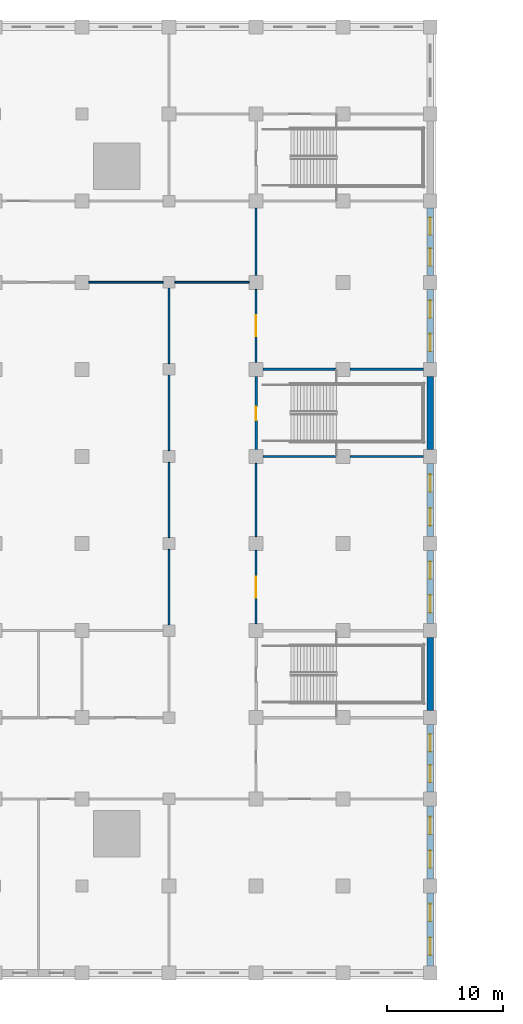
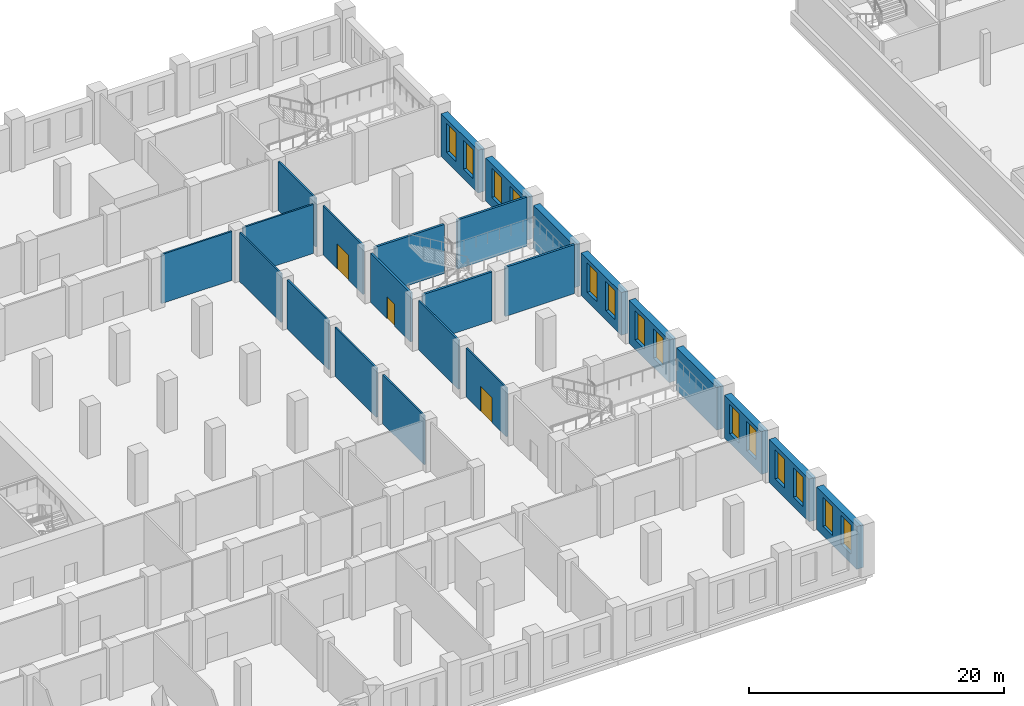
# One storey, part 8 of 32: 24 walls, 14 windows, 3 doors, 17 openings.
"""IFC4 building model written with IfcOpenShell, lengths in metres."""

import ifcopenshell
import ifcopenshell.guid

model = None  # the IFC model being written
_history = None  # IfcOwnerHistory: only IFC2X3 demands one
_inside = {}  # id of a spatial element -> (the spatial element, [elements in it])
_under = {}  # id of a project, library or spatial element -> (it, [spatial elements below it])
_declared = {}  # id of a project -> (the project, [libraries it declares])
_typed = {}  # id of a type object -> (the type object, [elements of that type])
_made_of = {}  # id of a material, layer set ... -> (it, [elements and type objects made of it])


def new_model(schema):
    """Start an empty IFC model of exactly this schema.

    Asked for "IFC4X3", IfcOpenShell would pick the latest addendum, in which some entities
    have other attributes; the version numbers below select the first issue.
    IFC2X3 requires an IfcOwnerHistory on every rooted entity: one is made here for all.
    """
    global model, _history
    if schema == "IFC4X3":
        model = ifcopenshell.file(schema_version=(4, 3, 0, 0))
    else:
        model = ifcopenshell.file(schema=schema)
    _inside.clear()
    _under.clear()
    _declared.clear()
    _typed.clear()
    _made_of.clear()
    _history = None
    if model.schema == "IFC2X3":
        org = make("IfcOrganization", Name="unknown")
        user = make(
            "IfcPersonAndOrganization",
            ThePerson=make("IfcPerson", FamilyName="unknown"),
            TheOrganization=org,
        )
        app = make(
            "IfcApplication",
            ApplicationDeveloper=org,
            Version="unknown",
            ApplicationFullName="unknown",
            ApplicationIdentifier="unknown",
        )
        _history = make(
            "IfcOwnerHistory",
            OwningUser=user,
            OwningApplication=app,
            ChangeAction="ADDED",
            CreationDate=0,
        )
    return model


def make(cls, **values):
    """One entity of the class cls with the attributes given. An attribute that is None is left unset."""
    return model.create_entity(
        cls, **{name: value for name, value in values.items() if value is not None}
    )


def rooted(cls, **values):
    """An entity with a GlobalId (a new one), such as an element, a storey or a relation."""
    return make(cls, GlobalId=ifcopenshell.guid.new(), OwnerHistory=_history, **values)


def si_unit(unit_type, name, prefix=None):
    """IfcSIUnit, for example si_unit("LENGTHUNIT", "METRE", prefix="MILLI")."""
    return make("IfcSIUnit", UnitType=unit_type, Prefix=prefix, Name=name)


def assignment(units):
    """IfcUnitAssignment: the units of a project."""
    return None if units is None else make("IfcUnitAssignment", Units=units)


def point(xyz):
    """IfcCartesianPoint."""
    return None if xyz is None else make("IfcCartesianPoint", Coordinates=xyz)


def direction(xyz):
    """IfcDirection."""
    return None if xyz is None else make("IfcDirection", DirectionRatios=xyz)


def frame(location, z_axis=None, x_axis=None):
    """IfcAxis2Placement3D, a coordinate frame: its origin and axes. An axis left out is left unset."""
    return make(
        "IfcAxis2Placement3D",
        Location=point(location),
        Axis=direction(z_axis),
        RefDirection=direction(x_axis),
    )


def frame_2d(location, x_axis=None):
    """IfcAxis2Placement2D, a coordinate frame in the plane: its origin and x axis."""
    return make(
        "IfcAxis2Placement2D", Location=point(location), RefDirection=direction(x_axis)
    )


def origin():
    """The frame at (0, 0, 0) with its axes left unset."""
    return frame((0.0, 0.0, 0.0))


def place(relative_to, where):
    """IfcLocalPlacement: puts the frame where relative to a parent placement (None: the world)."""
    return make(
        "IfcLocalPlacement", PlacementRelTo=relative_to, RelativePlacement=where
    )


def context(
    kind, dimensions, precision=None, world=None, true_north=None, identifier=None
):
    """IfcGeometricRepresentationContext, for example the 3D "Model" context."""
    return make(
        "IfcGeometricRepresentationContext",
        ContextIdentifier=identifier,
        ContextType=kind,
        CoordinateSpaceDimension=dimensions,
        Precision=precision,
        WorldCoordinateSystem=world,
        TrueNorth=true_north,
    )


def subcontext(parent, identifier, kind, view, scale=None):
    """IfcGeometricRepresentationSubContext, for example "Body" below "Model"."""
    return make(
        "IfcGeometricRepresentationSubContext",
        ContextIdentifier=identifier,
        ContextType=kind,
        ParentContext=parent,
        TargetScale=scale,
        TargetView=view,
    )


def project(units=None, contexts=None):
    """IfcProject with its units and contexts."""
    return rooted(
        "IfcProject",
        Name="project",
        RepresentationContexts=contexts,
        UnitsInContext=assignment(units),
    )


def spatial(cls, under=None, at=None, **own):
    """A site, building, storey or space (cls), placed at a placement, below another one or the project."""
    s = rooted(cls, ObjectPlacement=at, **own)
    if under is not None:
        _under.setdefault(under.id(), (under, []))[1].append(s)
    return s


def profile(cls, at=None, kind="AREA", **sizes):
    """A parametric profile (cls). Its sizes go by their IFC names, for example OverallWidth=200.0."""
    return make(cls, ProfileType=kind, Position=at, **sizes)


def rectangle(**sizes):
    """IfcRectangleProfileDef."""
    return profile("IfcRectangleProfileDef", **sizes)


def extrude(swept, where, along, depth):
    """IfcExtrudedAreaSolid: the profile swept, set in the frame where, extruded along a direction by depth."""
    return make(
        "IfcExtrudedAreaSolid",
        SweptArea=swept,
        Position=where,
        ExtrudedDirection=direction(along),
        Depth=depth,
    )


def shape(context_of_items, identifier, shape_type, items):
    """IfcShapeRepresentation: the items that make up one representation, for example the "Body"."""
    return make(
        "IfcShapeRepresentation",
        ContextOfItems=context_of_items,
        RepresentationIdentifier=identifier,
        RepresentationType=shape_type,
        Items=items,
    )


def material(Name=None, Category=None):
    """IfcMaterial."""
    return make("IfcMaterial", Name=Name, Category=Category)


def layer(
    of_material, thickness, ventilated=None, Name=None, Category=None, Priority=None
):
    """IfcMaterialLayer: one layer of a wall or slab, of a material (None: an air gap)."""
    return make(
        "IfcMaterialLayer",
        Material=of_material,
        LayerThickness=thickness,
        IsVentilated=ventilated,
        Name=Name,
        Category=Category,
        Priority=Priority,
    )


def layer_set(layers, Name=None):
    """IfcMaterialLayerSet."""
    return make("IfcMaterialLayerSet", MaterialLayers=layers, LayerSetName=Name)


def made_of(thing, what):
    """Note that an element or type object is made of a material, layer set ...; save() writes the relation."""
    if what is not None:
        _made_of.setdefault(what.id(), (what, []))[1].append(thing)
    return thing


def type_object(cls, material=None, **own):
    """A type object (cls), such as IfcWallType, which elements share."""
    return made_of(rooted(cls, **own), material)


def element(
    cls,
    number,
    at=None,
    inside=None,
    cuts=None,
    type_object=None,
    material=None,
    context=None,
    identifier="Body",
    shape_type=None,
    held_by="IfcProductDefinitionShape",
    body=None,
    shapes=None,
    **own,
):
    """One element of the class cls, such as IfcWall. Its Tag is "e" and its number.

    at: its placement. inside: the storey or other place that contains it. cuts: it is an
    opening in that element (IfcRelVoidsElement). A single representation is given by context,
    identifier, shape_type and body (its items); several are given by shapes. held_by: the class
    of the entity that holds the representations. save() writes the other relations.
    """
    e = rooted(cls, Tag="e%d" % number, ObjectPlacement=at, **own)
    if body is not None:
        shapes = [shape(context, identifier, shape_type, body)]
    if shapes is not None:
        e.Representation = make(held_by, Representations=shapes)
    if inside is not None:
        _inside.setdefault(inside.id(), (inside, []))[1].append(e)
    if cuts is not None:
        rooted(
            "IfcRelVoidsElement", RelatingBuildingElement=cuts, RelatedOpeningElement=e
        )
    if type_object is not None:
        _typed.setdefault(type_object.id(), (type_object, []))[1].append(e)
    return made_of(e, material)


def fill(opening, filler):
    """IfcRelFillsElement: the door or window that sits in an opening."""
    return rooted(
        "IfcRelFillsElement",
        RelatingOpeningElement=opening,
        RelatedBuildingElement=filler,
    )


def aggregate(whole, parts):
    """IfcRelAggregates: a whole, such as a stair, and the parts it consists of."""
    return rooted("IfcRelAggregates", RelatingObject=whole, RelatedObjects=parts)


def save(model, path):
    """Write the relations noted so far, then the file.

    IfcRelAggregates (storeys below a building ...), IfcRelContainedInSpatialStructure (elements
    in a storey), IfcRelDefinesByType, IfcRelAssociatesMaterial and IfcRelDeclares: one each for
    every whole, place, type object, material and project.
    """
    for whole, parts in _under.values():
        aggregate(whole, parts)
    for where, things in _inside.values():
        rooted(
            "IfcRelContainedInSpatialStructure",
            RelatedElements=things,
            RelatingStructure=where,
        )
    for kind, things in _typed.values():
        rooted("IfcRelDefinesByType", RelatedObjects=things, RelatingType=kind)
    for what, things in _made_of.values():
        rooted("IfcRelAssociatesMaterial", RelatedObjects=things, RelatingMaterial=what)
    for by, libraries in _declared.values():
        rooted("IfcRelDeclares", RelatingContext=by, RelatedDefinitions=libraries)
    model.write(path)


model = new_model("IFC4")

# Units and contexts
model_context = context("Model", 3, precision=1e-05, world=origin(), true_north=direction((0.0, 1.0)))
body_context = subcontext(model_context, "Body", "Model", "MODEL_VIEW")
ifc_project = project(units=[si_unit("LENGTHUNIT", "METRE"), si_unit("AREAUNIT", "SQUARE_METRE"), si_unit("VOLUMEUNIT", "CUBIC_METRE"), si_unit("PLANEANGLEUNIT", "RADIAN"), si_unit("MASSUNIT", "GRAM", prefix="KILO")], contexts=[model_context])

# Site, building, storey
site_placement = place(None, origin())
site = spatial("IfcSite", under=ifc_project, at=site_placement, CompositionType="ELEMENT")
building_placement = place(site_placement, origin())
building = spatial("IfcBuilding", under=site, at=building_placement, Name="Tamorin Gate", CompositionType="ELEMENT")
storey_placement = place(building_placement, frame((0.0, 0.0, 13.5)))
storey = spatial("IfcBuildingStorey", under=building, at=storey_placement, Name="L02", CompositionType="ELEMENT", Elevation=13.5)

# Walls
ifc_material_1 = material(Name="Concrete masonry C20/25", Category="masonry")
ifc_layer_1 = layer(ifc_material_1, 0.14990234375)
ifc_layer_set_1 = layer_set([ifc_layer_1], Name="Partition 150")
wall_type_1 = type_object("IfcWallType", Name="Partition 150", PredefinedType="PARTITIONING", material=ifc_layer_set_1)
for number, where, z_axis, x_axis, name in (
    (1, (82.60009765625, 90.0, 0.0), (0.0, 0.0, 1.0), (1.0, 0.0, 0.0), "Partition 150 L02"),
    (2, (90.0, 90.0, 0.0), (0.0, 0.0, 1.0), (1.0, 0.0, 0.0), "Partition 150 L02"),
):
    element("IfcWall", number, at=place(storey_placement, frame(where, z_axis=z_axis, x_axis=x_axis)), inside=storey, type_object=wall_type_1, Name=name, PredefinedType="PARTITIONING", context=body_context, shape_type="SweptSolid", body=[
        extrude(rectangle(XDim=6.39990234375, YDim=0.14990234375, at=frame_2d((3.199951171875, 0.0))), origin(), (0.0, 0.0, 1.0), 4.699951171875),
    ])

# Wall, opening, door
wall_1_placement = place(storey_placement, frame((97.0, 60.60009765625, 0.0), z_axis=(0.0, 0.0, 1.0), x_axis=(0.0, 1.0, 0.0)))
wall_1 = element("IfcWall", 3, at=wall_1_placement, inside=storey, type_object=wall_type_1, Name="Partition 150 L02", PredefinedType="PARTITIONING", context=body_context, shape_type="SweptSolid", body=[
    extrude(rectangle(XDim=6.2998046875, YDim=0.14990234375, at=frame_2d((3.14990234375, 0.0))), origin(), (0.0, 0.0, 1.0), 4.699951171875),
])
opening_1_placement = place(wall_1_placement, frame((2.25, 0.0, 0.0)))
opening_1 = element("IfcOpeningElement", 4, at=opening_1_placement, cuts=wall_1, Name="Opening DP3", PredefinedType="OPENING", context=body_context, shape_type="SweptSolid", body=[
    extrude(rectangle(XDim=1.800048828125, YDim=2.39990234375, at=frame_2d((0.89990234375, 1.199951171875))), frame((0.0, 0.0849609375, 0.0), z_axis=(0.0, -1.0, 0.0), x_axis=(1.0, 0.0, 0.0)), (0.0, 0.0, 1.0), 0.169921875),
])
ifc_material_2 = material(Name="Steel and glass", Category="steel")
door_type_1 = type_object("IfcDoorType", Name="Door pair 1800", OperationType="DOUBLE_DOOR_SINGLE_SWING", PredefinedType="DOOR", material=ifc_material_2)
door_1_placement = place(opening_1_placement, origin())
door_1 = element("IfcDoor", 5, at=door_1_placement, inside=storey, type_object=door_type_1, Name="Door pair 1800 L02", OperationType="SINGLE_SWING_LEFT", OverallHeight=2.39990234375, OverallWidth=1.800048828125, PredefinedType="DOOR", context=body_context, shape_type="SweptSolid", body=[
    extrude(rectangle(XDim=1.800048828125, YDim=2.39990234375, at=frame_2d((0.89990234375, 1.199951171875))), frame((0.0, 0.02490234375, 0.0), z_axis=(0.0, -1.0, 0.0), x_axis=(1.0, 0.0, 0.0)), (0.0, 0.0, 1.0), 0.050048828125),
])
fill(opening_1, door_1)

# Wall
wall_2_placement = place(storey_placement, frame((97.0, 68.10009765625, 0.0), z_axis=(0.0, 0.0, 1.0), x_axis=(0.0, 1.0, 0.0)))
element("IfcWall", 6, at=wall_2_placement, inside=storey, type_object=wall_type_1, Name="Partition 150 L02", PredefinedType="PARTITIONING", context=body_context, shape_type="SweptSolid", body=[
    extrude(rectangle(XDim=6.2998046875, YDim=0.14990234375, at=frame_2d((3.14990234375, 0.0))), origin(), (0.0, 0.0, 1.0), 4.699951171875),
])

# Wall, opening, door
wall_3_placement = place(storey_placement, frame((97.0, 83.10009765625, 0.0), z_axis=(0.0, 0.0, 1.0), x_axis=(0.0, 1.0, 0.0)))
wall_3 = element("IfcWall", 7, at=wall_3_placement, inside=storey, type_object=wall_type_1, Name="Partition 150 L02", PredefinedType="PARTITIONING", context=body_context, shape_type="SweptSolid", body=[
    extrude(rectangle(XDim=6.2998046875, YDim=0.14990234375, at=frame_2d((3.14990234375, 0.0))), origin(), (0.0, 0.0, 1.0), 4.699951171875),
])
opening_2_placement = place(wall_3_placement, frame((2.25, 0.0, 0.0)))
opening_2 = element("IfcOpeningElement", 8, at=opening_2_placement, cuts=wall_3, Name="Opening DP3", PredefinedType="OPENING", context=body_context, shape_type="SweptSolid", body=[
    extrude(rectangle(XDim=1.800048828125, YDim=2.39990234375, at=frame_2d((0.89990234375, 1.199951171875))), frame((0.0, 0.0849609375, 0.0), z_axis=(0.0, -1.0, 0.0), x_axis=(1.0, 0.0, 0.0)), (0.0, 0.0, 1.0), 0.169921875),
])
door_2_placement = place(opening_2_placement, origin())
door_2 = element("IfcDoor", 9, at=door_2_placement, inside=storey, type_object=door_type_1, Name="Door pair 1800 L02", OperationType="SINGLE_SWING_LEFT", OverallHeight=2.39990234375, OverallWidth=1.800048828125, PredefinedType="DOOR", context=body_context, shape_type="SweptSolid", body=[
    extrude(rectangle(XDim=1.800048828125, YDim=2.39990234375, at=frame_2d((0.89990234375, 1.199951171875))), frame((0.0, 0.02490234375, 0.0), z_axis=(0.0, -1.0, 0.0), x_axis=(1.0, 0.0, 0.0)), (0.0, 0.0, 1.0), 0.050048828125),
])
fill(opening_2, door_2)

# Walls
wall_4_placement = place(storey_placement, frame((97.0, 90.60009765625, 0.0), z_axis=(0.0, 0.0, 1.0), x_axis=(0.0, 1.0, 0.0)))
element("IfcWall", 10, at=wall_4_placement, inside=storey, type_object=wall_type_1, Name="Partition 150 L02", PredefinedType="PARTITIONING", context=body_context, shape_type="SweptSolid", body=[
    extrude(rectangle(XDim=5.7998046875, YDim=0.14990234375, at=frame_2d((2.89990234375, 0.0))), origin(), (0.0, 0.0, 1.0), 4.699951171875),
])
for number, where, z_axis, x_axis, name in (
    (11, (89.5, 60.5, 0.0), (0.0, 0.0, 1.0), (0.0, 1.0, 0.0), "Partition 150 L02"),
    (12, (89.5, 68.0, 0.0), (0.0, 0.0, 1.0), (0.0, 1.0, 0.0), "Partition 150 L02"),
    (13, (89.5, 75.5, 0.0), (0.0, 0.0, 1.0), (0.0, 1.0, 0.0), "Partition 150 L02"),
    (14, (89.5, 83.0, 0.0), (0.0, 0.0, 1.0), (0.0, 1.0, 0.0), "Partition 150 L02"),
):
    element("IfcWall", number, at=place(storey_placement, frame(where, z_axis=z_axis, x_axis=x_axis)), inside=storey, type_object=wall_type_1, Name=name, PredefinedType="PARTITIONING", context=body_context, shape_type="SweptSolid", body=[
        extrude(rectangle(XDim=6.5, YDim=0.14990234375, at=frame_2d((3.25, 0.0))), origin(), (0.0, 0.0, 1.0), 4.699951171875),
    ])

# Wall, openings, windows
ifc_material_3 = material(Name="Precast concrete C40/50", Category="concrete")
ifc_layer_2 = layer(ifc_material_3, 0.60009765625)
ifc_layer_set_2 = layer_set([ifc_layer_2], Name="Precast concrete C40/50")
wall_type_2 = type_object("IfcWallType", Name="Precast plinth wall 600", PredefinedType="PARTITIONING", material=ifc_layer_set_2)
wall_5_placement = place(storey_placement, frame((112.0, 31.10009765625, 0.0), z_axis=(0.0, 0.0, 1.0), x_axis=(0.0, 1.0, 0.0)))
wall_5 = element("IfcWall", 15, at=wall_5_placement, inside=storey, type_object=wall_type_2, Name="Precast plinth wall 600 L02", PredefinedType="PARTITIONING", context=body_context, shape_type="SweptSolid", body=[
    extrude(rectangle(XDim=6.2998046875, YDim=0.60009765625, at=frame_2d((3.14990234375, 0.0))), origin(), (0.0, 0.0, 1.0), 4.10009765625),
])
opening_3_placement = place(wall_5_placement, frame((0.950927734375, 0.0, 0.89990234375)))
opening_3 = element("IfcOpeningElement", 16, at=opening_3_placement, cuts=wall_5, Name="Opening PWN5", PredefinedType="OPENING", context=body_context, shape_type="SweptSolid", body=[
    extrude(rectangle(XDim=1.5, YDim=2.800048828125, at=frame_2d((0.75, 1.39990234375))), frame((0.0, 0.31005859375, 0.0), z_axis=(0.0, -1.0, 0.0), x_axis=(1.0, 0.0, 0.0)), (0.0, 0.0, 1.0), 0.6201171875),
])
opening_4_placement = place(wall_5_placement, frame((3.84912109375, 0.0, 0.89990234375)))
opening_4 = element("IfcOpeningElement", 17, at=opening_4_placement, cuts=wall_5, Name="Opening PWN5", PredefinedType="OPENING", context=body_context, shape_type="SweptSolid", body=[
    extrude(rectangle(XDim=1.5, YDim=2.800048828125, at=frame_2d((0.75, 1.39990234375))), frame((0.0, 0.31005859375, 0.0), z_axis=(0.0, -1.0, 0.0), x_axis=(1.0, 0.0, 0.0)), (0.0, 0.0, 1.0), 0.6201171875),
])
ifc_material_4 = material(Name="Aluminium and glass", Category="aluminium")
window_type = type_object("IfcWindowType", Name="Plinth window 1500x2800", PartitioningType="DOUBLE_PANEL_VERTICAL", PredefinedType="WINDOW", material=ifc_material_4)
window_1_placement = place(opening_3_placement, origin())
window_1 = element("IfcWindow", 18, at=window_1_placement, inside=storey, type_object=window_type, Name="Plinth window 1500x2800", OverallHeight=2.800048828125, OverallWidth=1.5, PartitioningType="SINGLE_PANEL", PredefinedType="WINDOW", context=body_context, shape_type="SweptSolid", body=[
    extrude(rectangle(XDim=1.5, YDim=2.800048828125, at=frame_2d((0.75, 1.39990234375))), frame((0.0, 0.030029296875, 0.0), z_axis=(0.0, -1.0, 0.0), x_axis=(1.0, 0.0, 0.0)), (0.0, 0.0, 1.0), 0.06005859375),
])
fill(opening_3, window_1)
window_2_placement = place(opening_4_placement, origin())
window_2 = element("IfcWindow", 19, at=window_2_placement, inside=storey, type_object=window_type, Name="Plinth window 1500x2800", OverallHeight=2.800048828125, OverallWidth=1.5, PartitioningType="SINGLE_PANEL", PredefinedType="WINDOW", context=body_context, shape_type="SweptSolid", body=[
    extrude(rectangle(XDim=1.5, YDim=2.800048828125, at=frame_2d((0.75, 1.39990234375))), frame((0.0, 0.030029296875, 0.0), z_axis=(0.0, -1.0, 0.0), x_axis=(1.0, 0.0, 0.0)), (0.0, 0.0, 1.0), 0.06005859375),
])
fill(opening_4, window_2)

wall_6_placement = place(storey_placement, frame((112.0, 38.60009765625, 0.0), z_axis=(0.0, 0.0, 1.0), x_axis=(0.0, 1.0, 0.0)))
wall_6 = element("IfcWall", 20, at=wall_6_placement, inside=storey, type_object=wall_type_2, Name="Precast plinth wall 600 L02", PredefinedType="PARTITIONING", context=body_context, shape_type="SweptSolid", body=[
    extrude(rectangle(XDim=6.2998046875, YDim=0.60009765625, at=frame_2d((3.14990234375, 0.0))), origin(), (0.0, 0.0, 1.0), 4.10009765625),
])
opening_5_placement = place(wall_6_placement, frame((0.950927734375, 0.0, 0.89990234375)))
opening_5 = element("IfcOpeningElement", 21, at=opening_5_placement, cuts=wall_6, Name="Opening PWN5", PredefinedType="OPENING", context=body_context, shape_type="SweptSolid", body=[
    extrude(rectangle(XDim=1.5, YDim=2.800048828125, at=frame_2d((0.75, 1.39990234375))), frame((0.0, 0.31005859375, 0.0), z_axis=(0.0, -1.0, 0.0), x_axis=(1.0, 0.0, 0.0)), (0.0, 0.0, 1.0), 0.6201171875),
])
opening_6_placement = place(wall_6_placement, frame((3.84912109375, 0.0, 0.89990234375)))
opening_6 = element("IfcOpeningElement", 22, at=opening_6_placement, cuts=wall_6, Name="Opening PWN5", PredefinedType="OPENING", context=body_context, shape_type="SweptSolid", body=[
    extrude(rectangle(XDim=1.5, YDim=2.800048828125, at=frame_2d((0.75, 1.39990234375))), frame((0.0, 0.31005859375, 0.0), z_axis=(0.0, -1.0, 0.0), x_axis=(1.0, 0.0, 0.0)), (0.0, 0.0, 1.0), 0.6201171875),
])
window_3_placement = place(opening_5_placement, origin())
window_3 = element("IfcWindow", 23, at=window_3_placement, inside=storey, type_object=window_type, Name="Plinth window 1500x2800", OverallHeight=2.800048828125, OverallWidth=1.5, PartitioningType="SINGLE_PANEL", PredefinedType="WINDOW", context=body_context, shape_type="SweptSolid", body=[
    extrude(rectangle(XDim=1.5, YDim=2.800048828125, at=frame_2d((0.75, 1.39990234375))), frame((0.0, 0.030029296875, 0.0), z_axis=(0.0, -1.0, 0.0), x_axis=(1.0, 0.0, 0.0)), (0.0, 0.0, 1.0), 0.06005859375),
])
fill(opening_5, window_3)
window_4_placement = place(opening_6_placement, origin())
window_4 = element("IfcWindow", 24, at=window_4_placement, inside=storey, type_object=window_type, Name="Plinth window 1500x2800", OverallHeight=2.800048828125, OverallWidth=1.5, PartitioningType="SINGLE_PANEL", PredefinedType="WINDOW", context=body_context, shape_type="SweptSolid", body=[
    extrude(rectangle(XDim=1.5, YDim=2.800048828125, at=frame_2d((0.75, 1.39990234375))), frame((0.0, 0.030029296875, 0.0), z_axis=(0.0, -1.0, 0.0), x_axis=(1.0, 0.0, 0.0)), (0.0, 0.0, 1.0), 0.06005859375),
])
fill(opening_6, window_4)

wall_7_placement = place(storey_placement, frame((112.0, 46.10009765625, 0.0), z_axis=(0.0, 0.0, 1.0), x_axis=(0.0, 1.0, 0.0)))
wall_7 = element("IfcWall", 25, at=wall_7_placement, inside=storey, type_object=wall_type_2, Name="Precast plinth wall 600 L02", PredefinedType="PARTITIONING", context=body_context, shape_type="SweptSolid", body=[
    extrude(rectangle(XDim=5.7998046875, YDim=0.60009765625, at=frame_2d((2.89990234375, 0.0))), origin(), (0.0, 0.0, 1.0), 4.10009765625),
])
opening_7_placement = place(wall_7_placement, frame((0.81591796875, 0.0, 0.89990234375)))
opening_7 = element("IfcOpeningElement", 26, at=opening_7_placement, cuts=wall_7, Name="Opening PWN5", PredefinedType="OPENING", context=body_context, shape_type="SweptSolid", body=[
    extrude(rectangle(XDim=1.5, YDim=2.800048828125, at=frame_2d((0.75, 1.39990234375))), frame((0.0, 0.31005859375, 0.0), z_axis=(0.0, -1.0, 0.0), x_axis=(1.0, 0.0, 0.0)), (0.0, 0.0, 1.0), 0.6201171875),
])
opening_8_placement = place(wall_7_placement, frame((3.48388671875, 0.0, 0.89990234375)))
opening_8 = element("IfcOpeningElement", 27, at=opening_8_placement, cuts=wall_7, Name="Opening PWN5", PredefinedType="OPENING", context=body_context, shape_type="SweptSolid", body=[
    extrude(rectangle(XDim=1.5, YDim=2.800048828125, at=frame_2d((0.75, 1.39990234375))), frame((0.0, 0.31005859375, 0.0), z_axis=(0.0, -1.0, 0.0), x_axis=(1.0, 0.0, 0.0)), (0.0, 0.0, 1.0), 0.6201171875),
])
window_5_placement = place(opening_7_placement, origin())
window_5 = element("IfcWindow", 28, at=window_5_placement, inside=storey, type_object=window_type, Name="Plinth window 1500x2800", OverallHeight=2.800048828125, OverallWidth=1.5, PartitioningType="SINGLE_PANEL", PredefinedType="WINDOW", context=body_context, shape_type="SweptSolid", body=[
    extrude(rectangle(XDim=1.5, YDim=2.800048828125, at=frame_2d((0.75, 1.39990234375))), frame((0.0, 0.030029296875, 0.0), z_axis=(0.0, -1.0, 0.0), x_axis=(1.0, 0.0, 0.0)), (0.0, 0.0, 1.0), 0.06005859375),
])
fill(opening_7, window_5)
window_6_placement = place(opening_8_placement, origin())
window_6 = element("IfcWindow", 29, at=window_6_placement, inside=storey, type_object=window_type, Name="Plinth window 1500x2800", OverallHeight=2.800048828125, OverallWidth=1.5, PartitioningType="SINGLE_PANEL", PredefinedType="WINDOW", context=body_context, shape_type="SweptSolid", body=[
    extrude(rectangle(XDim=1.5, YDim=2.800048828125, at=frame_2d((0.75, 1.39990234375))), frame((0.0, 0.030029296875, 0.0), z_axis=(0.0, -1.0, 0.0), x_axis=(1.0, 0.0, 0.0)), (0.0, 0.0, 1.0), 0.06005859375),
])
fill(opening_8, window_6)

# Wall
wall_8_placement = place(storey_placement, frame((112.0, 53.10009765625, 0.0), z_axis=(0.0, 0.0, 1.0), x_axis=(0.0, 1.0, 0.0)))
element("IfcWall", 30, at=wall_8_placement, inside=storey, type_object=wall_type_2, Name="Precast plinth wall 600 L02", PredefinedType="PARTITIONING", context=body_context, shape_type="SweptSolid", body=[
    extrude(rectangle(XDim=6.2998046875, YDim=0.60009765625, at=frame_2d((3.14990234375, 0.0))), origin(), (0.0, 0.0, 1.0), 4.10009765625),
])

# Wall, openings, windows
wall_9_placement = place(storey_placement, frame((112.0, 60.60009765625, 0.0), z_axis=(0.0, 0.0, 1.0), x_axis=(0.0, 1.0, 0.0)))
wall_9 = element("IfcWall", 31, at=wall_9_placement, inside=storey, type_object=wall_type_2, Name="Precast plinth wall 600 L02", PredefinedType="PARTITIONING", context=body_context, shape_type="SweptSolid", body=[
    extrude(rectangle(XDim=6.2998046875, YDim=0.60009765625, at=frame_2d((3.14990234375, 0.0))), origin(), (0.0, 0.0, 1.0), 4.10009765625),
])
opening_9_placement = place(wall_9_placement, frame((0.950927734375, 0.0, 0.89990234375)))
opening_9 = element("IfcOpeningElement", 32, at=opening_9_placement, cuts=wall_9, Name="Opening PWN5", PredefinedType="OPENING", context=body_context, shape_type="SweptSolid", body=[
    extrude(rectangle(XDim=1.5, YDim=2.800048828125, at=frame_2d((0.75, 1.39990234375))), frame((0.0, 0.31005859375, 0.0), z_axis=(0.0, -1.0, 0.0), x_axis=(1.0, 0.0, 0.0)), (0.0, 0.0, 1.0), 0.6201171875),
])
opening_10_placement = place(wall_9_placement, frame((3.84912109375, 0.0, 0.89990234375)))
opening_10 = element("IfcOpeningElement", 33, at=opening_10_placement, cuts=wall_9, Name="Opening PWN5", PredefinedType="OPENING", context=body_context, shape_type="SweptSolid", body=[
    extrude(rectangle(XDim=1.5, YDim=2.800048828125, at=frame_2d((0.75, 1.39990234375))), frame((0.0, 0.31005859375, 0.0), z_axis=(0.0, -1.0, 0.0), x_axis=(1.0, 0.0, 0.0)), (0.0, 0.0, 1.0), 0.6201171875),
])
window_7_placement = place(opening_9_placement, origin())
window_7 = element("IfcWindow", 34, at=window_7_placement, inside=storey, type_object=window_type, Name="Plinth window 1500x2800", OverallHeight=2.800048828125, OverallWidth=1.5, PartitioningType="SINGLE_PANEL", PredefinedType="WINDOW", context=body_context, shape_type="SweptSolid", body=[
    extrude(rectangle(XDim=1.5, YDim=2.800048828125, at=frame_2d((0.75, 1.39990234375))), frame((0.0, 0.030029296875, 0.0), z_axis=(0.0, -1.0, 0.0), x_axis=(1.0, 0.0, 0.0)), (0.0, 0.0, 1.0), 0.06005859375),
])
fill(opening_9, window_7)
window_8_placement = place(opening_10_placement, origin())
window_8 = element("IfcWindow", 35, at=window_8_placement, inside=storey, type_object=window_type, Name="Plinth window 1500x2800", OverallHeight=2.800048828125, OverallWidth=1.5, PartitioningType="SINGLE_PANEL", PredefinedType="WINDOW", context=body_context, shape_type="SweptSolid", body=[
    extrude(rectangle(XDim=1.5, YDim=2.800048828125, at=frame_2d((0.75, 1.39990234375))), frame((0.0, 0.030029296875, 0.0), z_axis=(0.0, -1.0, 0.0), x_axis=(1.0, 0.0, 0.0)), (0.0, 0.0, 1.0), 0.06005859375),
])
fill(opening_10, window_8)

wall_10_placement = place(storey_placement, frame((112.0, 68.10009765625, 0.0), z_axis=(0.0, 0.0, 1.0), x_axis=(0.0, 1.0, 0.0)))
wall_10 = element("IfcWall", 36, at=wall_10_placement, inside=storey, type_object=wall_type_2, Name="Precast plinth wall 600 L02", PredefinedType="PARTITIONING", context=body_context, shape_type="SweptSolid", body=[
    extrude(rectangle(XDim=6.2998046875, YDim=0.60009765625, at=frame_2d((3.14990234375, 0.0))), origin(), (0.0, 0.0, 1.0), 4.10009765625),
])
opening_11_placement = place(wall_10_placement, frame((0.950927734375, 0.0, 0.89990234375)))
opening_11 = element("IfcOpeningElement", 37, at=opening_11_placement, cuts=wall_10, Name="Opening PWN5", PredefinedType="OPENING", context=body_context, shape_type="SweptSolid", body=[
    extrude(rectangle(XDim=1.5, YDim=2.800048828125, at=frame_2d((0.75, 1.39990234375))), frame((0.0, 0.31005859375, 0.0), z_axis=(0.0, -1.0, 0.0), x_axis=(1.0, 0.0, 0.0)), (0.0, 0.0, 1.0), 0.6201171875),
])
opening_12_placement = place(wall_10_placement, frame((3.84912109375, 0.0, 0.89990234375)))
opening_12 = element("IfcOpeningElement", 38, at=opening_12_placement, cuts=wall_10, Name="Opening PWN5", PredefinedType="OPENING", context=body_context, shape_type="SweptSolid", body=[
    extrude(rectangle(XDim=1.5, YDim=2.800048828125, at=frame_2d((0.75, 1.39990234375))), frame((0.0, 0.31005859375, 0.0), z_axis=(0.0, -1.0, 0.0), x_axis=(1.0, 0.0, 0.0)), (0.0, 0.0, 1.0), 0.6201171875),
])
window_9_placement = place(opening_11_placement, origin())
window_9 = element("IfcWindow", 39, at=window_9_placement, inside=storey, type_object=window_type, Name="Plinth window 1500x2800", OverallHeight=2.800048828125, OverallWidth=1.5, PartitioningType="SINGLE_PANEL", PredefinedType="WINDOW", context=body_context, shape_type="SweptSolid", body=[
    extrude(rectangle(XDim=1.5, YDim=2.800048828125, at=frame_2d((0.75, 1.39990234375))), frame((0.0, 0.030029296875, 0.0), z_axis=(0.0, -1.0, 0.0), x_axis=(1.0, 0.0, 0.0)), (0.0, 0.0, 1.0), 0.06005859375),
])
fill(opening_11, window_9)
window_10_placement = place(opening_12_placement, origin())
window_10 = element("IfcWindow", 40, at=window_10_placement, inside=storey, type_object=window_type, Name="Plinth window 1500x2800", OverallHeight=2.800048828125, OverallWidth=1.5, PartitioningType="SINGLE_PANEL", PredefinedType="WINDOW", context=body_context, shape_type="SweptSolid", body=[
    extrude(rectangle(XDim=1.5, YDim=2.800048828125, at=frame_2d((0.75, 1.39990234375))), frame((0.0, 0.030029296875, 0.0), z_axis=(0.0, -1.0, 0.0), x_axis=(1.0, 0.0, 0.0)), (0.0, 0.0, 1.0), 0.06005859375),
])
fill(opening_12, window_10)

# Wall
wall_11_placement = place(storey_placement, frame((112.0, 75.60009765625, 0.0), z_axis=(0.0, 0.0, 1.0), x_axis=(0.0, 1.0, 0.0)))
element("IfcWall", 41, at=wall_11_placement, inside=storey, type_object=wall_type_2, Name="Precast plinth wall 600 L02", PredefinedType="PARTITIONING", context=body_context, shape_type="SweptSolid", body=[
    extrude(rectangle(XDim=6.2998046875, YDim=0.60009765625, at=frame_2d((3.14990234375, 0.0))), origin(), (0.0, 0.0, 1.0), 4.10009765625),
])

# Wall, openings, windows
wall_12_placement = place(storey_placement, frame((112.0, 83.10009765625, 0.0), z_axis=(0.0, 0.0, 1.0), x_axis=(0.0, 1.0, 0.0)))
wall_12 = element("IfcWall", 42, at=wall_12_placement, inside=storey, type_object=wall_type_2, Name="Precast plinth wall 600 L02", PredefinedType="PARTITIONING", context=body_context, shape_type="SweptSolid", body=[
    extrude(rectangle(XDim=6.2998046875, YDim=0.60009765625, at=frame_2d((3.14990234375, 0.0))), origin(), (0.0, 0.0, 1.0), 4.10009765625),
])
opening_13_placement = place(wall_12_placement, frame((0.950927734375, 0.0, 0.89990234375)))
opening_13 = element("IfcOpeningElement", 43, at=opening_13_placement, cuts=wall_12, Name="Opening PWN5", PredefinedType="OPENING", context=body_context, shape_type="SweptSolid", body=[
    extrude(rectangle(XDim=1.5, YDim=2.800048828125, at=frame_2d((0.75, 1.39990234375))), frame((0.0, 0.31005859375, 0.0), z_axis=(0.0, -1.0, 0.0), x_axis=(1.0, 0.0, 0.0)), (0.0, 0.0, 1.0), 0.6201171875),
])
opening_14_placement = place(wall_12_placement, frame((3.84912109375, 0.0, 0.89990234375)))
opening_14 = element("IfcOpeningElement", 44, at=opening_14_placement, cuts=wall_12, Name="Opening PWN5", PredefinedType="OPENING", context=body_context, shape_type="SweptSolid", body=[
    extrude(rectangle(XDim=1.5, YDim=2.800048828125, at=frame_2d((0.75, 1.39990234375))), frame((0.0, 0.31005859375, 0.0), z_axis=(0.0, -1.0, 0.0), x_axis=(1.0, 0.0, 0.0)), (0.0, 0.0, 1.0), 0.6201171875),
])
window_11_placement = place(opening_13_placement, origin())
window_11 = element("IfcWindow", 45, at=window_11_placement, inside=storey, type_object=window_type, Name="Plinth window 1500x2800", OverallHeight=2.800048828125, OverallWidth=1.5, PartitioningType="SINGLE_PANEL", PredefinedType="WINDOW", context=body_context, shape_type="SweptSolid", body=[
    extrude(rectangle(XDim=1.5, YDim=2.800048828125, at=frame_2d((0.75, 1.39990234375))), frame((0.0, 0.030029296875, 0.0), z_axis=(0.0, -1.0, 0.0), x_axis=(1.0, 0.0, 0.0)), (0.0, 0.0, 1.0), 0.06005859375),
])
fill(opening_13, window_11)
window_12_placement = place(opening_14_placement, origin())
window_12 = element("IfcWindow", 46, at=window_12_placement, inside=storey, type_object=window_type, Name="Plinth window 1500x2800", OverallHeight=2.800048828125, OverallWidth=1.5, PartitioningType="SINGLE_PANEL", PredefinedType="WINDOW", context=body_context, shape_type="SweptSolid", body=[
    extrude(rectangle(XDim=1.5, YDim=2.800048828125, at=frame_2d((0.75, 1.39990234375))), frame((0.0, 0.030029296875, 0.0), z_axis=(0.0, -1.0, 0.0), x_axis=(1.0, 0.0, 0.0)), (0.0, 0.0, 1.0), 0.06005859375),
])
fill(opening_14, window_12)

wall_13_placement = place(storey_placement, frame((112.0, 90.60009765625, 0.0), z_axis=(0.0, 0.0, 1.0), x_axis=(0.0, 1.0, 0.0)))
wall_13 = element("IfcWall", 47, at=wall_13_placement, inside=storey, type_object=wall_type_2, Name="Precast plinth wall 600 L02", PredefinedType="PARTITIONING", context=body_context, shape_type="SweptSolid", body=[
    extrude(rectangle(XDim=5.7998046875, YDim=0.60009765625, at=frame_2d((2.89990234375, 0.0))), origin(), (0.0, 0.0, 1.0), 4.10009765625),
])
opening_15_placement = place(wall_13_placement, frame((0.81591796875, 0.0, 0.89990234375)))
opening_15 = element("IfcOpeningElement", 48, at=opening_15_placement, cuts=wall_13, Name="Opening PWN5", PredefinedType="OPENING", context=body_context, shape_type="SweptSolid", body=[
    extrude(rectangle(XDim=1.5, YDim=2.800048828125, at=frame_2d((0.75, 1.39990234375))), frame((0.0, 0.31005859375, 0.0), z_axis=(0.0, -1.0, 0.0), x_axis=(1.0, 0.0, 0.0)), (0.0, 0.0, 1.0), 0.6201171875),
])
opening_16_placement = place(wall_13_placement, frame((3.48388671875, 0.0, 0.89990234375)))
opening_16 = element("IfcOpeningElement", 49, at=opening_16_placement, cuts=wall_13, Name="Opening PWN5", PredefinedType="OPENING", context=body_context, shape_type="SweptSolid", body=[
    extrude(rectangle(XDim=1.5, YDim=2.800048828125, at=frame_2d((0.75, 1.39990234375))), frame((0.0, 0.31005859375, 0.0), z_axis=(0.0, -1.0, 0.0), x_axis=(1.0, 0.0, 0.0)), (0.0, 0.0, 1.0), 0.6201171875),
])
window_13_placement = place(opening_15_placement, origin())
window_13 = element("IfcWindow", 50, at=window_13_placement, inside=storey, type_object=window_type, Name="Plinth window 1500x2800", OverallHeight=2.800048828125, OverallWidth=1.5, PartitioningType="SINGLE_PANEL", PredefinedType="WINDOW", context=body_context, shape_type="SweptSolid", body=[
    extrude(rectangle(XDim=1.5, YDim=2.800048828125, at=frame_2d((0.75, 1.39990234375))), frame((0.0, 0.030029296875, 0.0), z_axis=(0.0, -1.0, 0.0), x_axis=(1.0, 0.0, 0.0)), (0.0, 0.0, 1.0), 0.06005859375),
])
fill(opening_15, window_13)
window_14_placement = place(opening_16_placement, origin())
window_14 = element("IfcWindow", 51, at=window_14_placement, inside=storey, type_object=window_type, Name="Plinth window 1500x2800", OverallHeight=2.800048828125, OverallWidth=1.5, PartitioningType="SINGLE_PANEL", PredefinedType="WINDOW", context=body_context, shape_type="SweptSolid", body=[
    extrude(rectangle(XDim=1.5, YDim=2.800048828125, at=frame_2d((0.75, 1.39990234375))), frame((0.0, 0.030029296875, 0.0), z_axis=(0.0, -1.0, 0.0), x_axis=(1.0, 0.0, 0.0)), (0.0, 0.0, 1.0), 0.06005859375),
])
fill(opening_16, window_14)

# Walls
ifc_material_5 = material(Name="Concrete C40/50", Category="concrete")
ifc_layer_3 = layer(ifc_material_5, 0.199951171875)
ifc_layer_set_3 = layer_set([ifc_layer_3], Name="Stair enclosure 200")
wall_type_3 = type_object("IfcWallType", Name="Stair enclosure 200", PredefinedType="SHEAR", material=ifc_layer_set_3)
for number, where, z_axis, x_axis, name in (
    (52, (97.60009765625, 75.0, 0.0), (0.0, 0.0, 1.0), (1.0, 0.0, 0.0), "Stair enclosure 200 L02"),
    (53, (105.10009765625, 75.0, 0.0), (0.0, 0.0, 1.0), (1.0, 0.0, 0.0), "Stair enclosure 200 L02"),
    (54, (97.60009765625, 82.5, 0.0), (0.0, 0.0, 1.0), (1.0, 0.0, 0.0), "Stair enclosure 200 L02"),
    (55, (105.10009765625, 82.5, 0.0), (0.0, 0.0, 1.0), (1.0, 0.0, 0.0), "Stair enclosure 200 L02"),
):
    element("IfcWall", number, at=place(storey_placement, frame(where, z_axis=z_axis, x_axis=x_axis)), inside=storey, type_object=wall_type_3, Name=name, PredefinedType="SHEAR", context=body_context, shape_type="SweptSolid", body=[
        extrude(rectangle(XDim=6.2998046875, YDim=0.199951171875, at=frame_2d((3.14990234375, 0.0))), origin(), (0.0, 0.0, 1.0), 4.699951171875),
    ])

# Wall, opening, door
wall_14_placement = place(storey_placement, frame((97.0, 81.89990234375, 0.0), z_axis=(0.0, 0.0, 1.0), x_axis=(0.0, -1.0, 0.0)))
wall_14 = element("IfcWall", 56, at=wall_14_placement, inside=storey, type_object=wall_type_3, Name="Stair enclosure 200 L02", PredefinedType="SHEAR", context=body_context, shape_type="SweptSolid", body=[
    extrude(rectangle(XDim=6.2998046875, YDim=0.199951171875, at=frame_2d((3.14990234375, 0.0))), origin(), (0.0, 0.0, 1.0), 4.699951171875),
])
opening_17_placement = place(wall_14_placement, frame((2.60009765625, 0.0, 0.0)))
opening_17 = element("IfcOpeningElement", 57, at=opening_17_placement, cuts=wall_14, Name="Opening DP5", PredefinedType="OPENING", context=body_context, shape_type="SweptSolid", body=[
    extrude(rectangle(XDim=1.199951171875, YDim=2.10009765625, at=frame_2d((0.60009765625, 1.050048828125))), frame((0.0, 0.10986328125, 0.0), z_axis=(0.0, -1.0, 0.0), x_axis=(1.0, 0.0, 0.0)), (0.0, 0.0, 1.0), 0.219970703125),
])
ifc_material_6 = material(Name="Painted steel", Category="steel")
door_type_2 = type_object("IfcDoorType", Name="Stair door 1200", OperationType="SINGLE_SWING_LEFT", PredefinedType="DOOR", material=ifc_material_6)
door_3_placement = place(opening_17_placement, origin())
door_3 = element("IfcDoor", 58, at=door_3_placement, inside=storey, type_object=door_type_2, Name="Stair door 1200 L02", OperationType="SINGLE_SWING_LEFT", OverallHeight=2.10009765625, OverallWidth=1.199951171875, PredefinedType="DOOR", context=body_context, shape_type="SweptSolid", body=[
    extrude(rectangle(XDim=1.199951171875, YDim=2.10009765625, at=frame_2d((0.60009765625, 1.050048828125))), frame((0.0, 0.02490234375, 0.0), z_axis=(0.0, -1.0, 0.0), x_axis=(1.0, 0.0, 0.0)), (0.0, 0.0, 1.0), 0.050048828125),
])
fill(opening_17, door_3)

save(model, "model.ifc")
